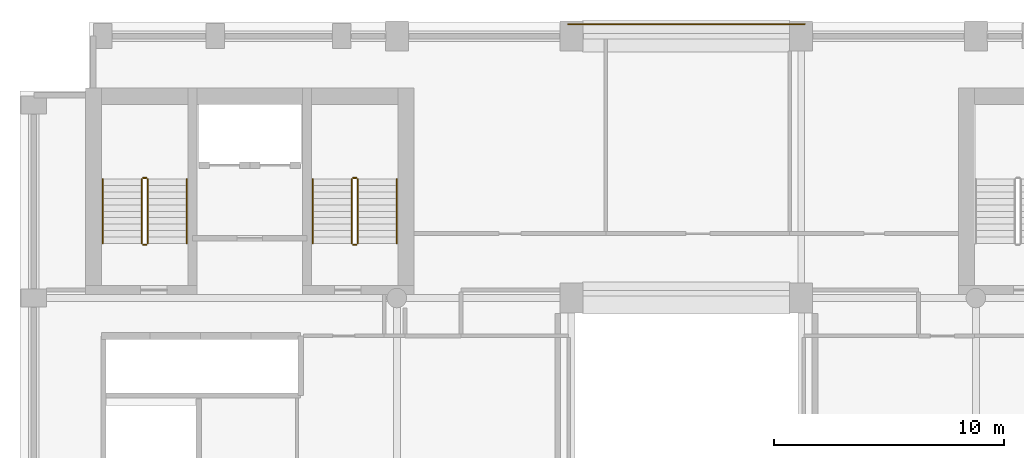
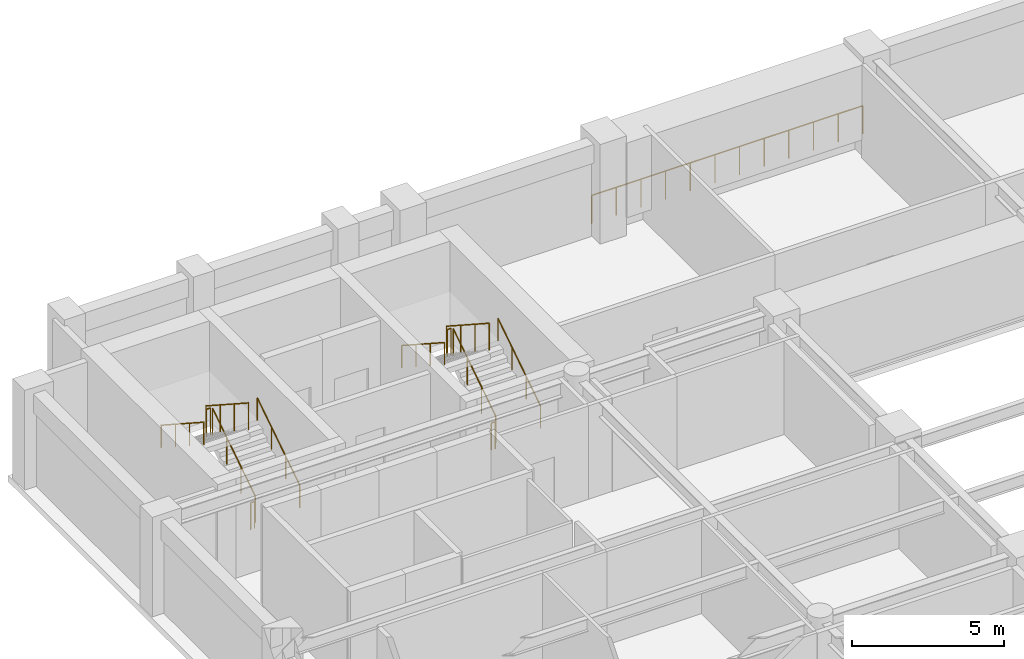
# One storey, part 6 of 7: 13 railings.
"""IFC4 building model written with IfcOpenShell, lengths in metres."""

from ifc_helpers import new_model, si_unit, direction, frame, origin, origin_2d, place, context, subcontext, project, spatial, circle, extrude, material, type_object, element, save


model = new_model("IFC4")

# Units and contexts
model_context = context("Model", 3, precision=1e-05, world=origin(), true_north=direction((0.0, 1.0)))
body_context = subcontext(model_context, "Body", "Model", "MODEL_VIEW")
ifc_project = project(units=[si_unit("LENGTHUNIT", "METRE"), si_unit("AREAUNIT", "SQUARE_METRE"), si_unit("VOLUMEUNIT", "CUBIC_METRE"), si_unit("PLANEANGLEUNIT", "RADIAN"), si_unit("MASSUNIT", "GRAM", prefix="KILO")], contexts=[model_context])

# Site, building, storey
site_placement = place(None, origin())
site = spatial("IfcSite", under=ifc_project, at=site_placement, CompositionType="ELEMENT")
building_placement = place(site_placement, origin())
building = spatial("IfcBuilding", under=site, at=building_placement, Name="Sulina Concourse Tower", CompositionType="ELEMENT")
storey_placement = place(building_placement, frame((0.0, 0.0, 198.60009765625)))
storey = spatial("IfcBuildingStorey", under=building, at=storey_placement, Name="L48", CompositionType="ELEMENT", Elevation=198.60009765625)

# Railings
ifc_material_1 = material(Name="Galvanised steel railing", Category="steel")
railing_type_1 = type_object("IfcRailingType", Name="Core Stair Steel Guardrail 1150mm", PredefinedType="GUARDRAIL", material=ifc_material_1)
railing_1_placement = place(storey_placement, frame((23.85009765625, 45.919921875, 0.0)))
element("IfcRailing", 1, at=railing_1_placement, inside=storey, type_object=railing_type_1, Name="L48 perimeter edge safety guardrail BRGN", PredefinedType="GUARDRAIL", context=body_context, shape_type="SweptSolid", body=[
    extrude(circle(Radius=0.02392578125, at=origin_2d()), frame((0.0, 0.0, 1.1259765625), z_axis=(1.0, 0.0, 0.0), x_axis=(0.0, 1.0, 0.0)), (0.0, 0.0, 1.0), 10.2998046875),
    extrude(circle(Radius=0.02099609375, at=origin_2d()), origin(), (0.0, 0.0, 1.0), 1.101806640625),
    extrude(circle(Radius=0.02099609375, at=origin_2d()), frame((0.936279296875, 0.0, 0.0)), (0.0, 0.0, 1.0), 1.101806640625),
    extrude(circle(Radius=0.02099609375, at=origin_2d()), frame((1.872802734375, 0.0, 0.0)), (0.0, 0.0, 1.0), 1.101806640625),
    extrude(circle(Radius=0.02099609375, at=origin_2d()), frame((2.80908203125, 0.0, 0.0)), (0.0, 0.0, 1.0), 1.101806640625),
    extrude(circle(Radius=0.02099609375, at=origin_2d()), frame((3.745361328125, 0.0, 0.0)), (0.0, 0.0, 1.0), 1.101806640625),
    extrude(circle(Radius=0.02099609375, at=origin_2d()), frame((4.681640625, 0.0, 0.0)), (0.0, 0.0, 1.0), 1.101806640625),
    extrude(circle(Radius=0.02099609375, at=origin_2d()), frame((5.6181640625, 0.0, 0.0)), (0.0, 0.0, 1.0), 1.101806640625),
    extrude(circle(Radius=0.02099609375, at=origin_2d()), frame((6.554443359375, 0.0, 0.0)), (0.0, 0.0, 1.0), 1.101806640625),
    extrude(circle(Radius=0.02099609375, at=origin_2d()), frame((7.49072265625, 0.0, 0.0)), (0.0, 0.0, 1.0), 1.101806640625),
    extrude(circle(Radius=0.02099609375, at=origin_2d()), frame((8.427001953125, 0.0, 0.0)), (0.0, 0.0, 1.0), 1.101806640625),
    extrude(circle(Radius=0.02099609375, at=origin_2d()), frame((9.363525390625, 0.0, 0.0)), (0.0, 0.0, 1.0), 1.101806640625),
    extrude(circle(Radius=0.02099609375, at=origin_2d()), frame((10.2998046875, 0.0, 0.0)), (0.0, 0.0, 1.0), 1.101806640625),
])
railing_2_placement = place(storey_placement, frame((5.554931640625, 36.375, 0.181640625)))
element("IfcRailing", 2, at=railing_2_placement, inside=storey, type_object=railing_type_1, Name="L48 ST-1 stair guard 1", PredefinedType="GUARDRAIL", context=body_context, shape_type="SweptSolid", body=[
    extrude(circle(Radius=0.02392578125, at=origin_2d()), frame((0.0, 0.0, 1.076171875), z_axis=(0.0, 0.838672427954, 0.544636170843), x_axis=(-1.0, 0.0, 0.0)), (0.0, 0.0, 1.0), 3.338623046875),
    extrude(circle(Radius=0.02099609375, at=origin_2d()), origin(), (0.0, 0.0, 1.0), 1.052001953125),
    extrude(circle(Radius=0.02099609375, at=origin_2d()), frame((0.0, 0.933349609375, 0.606201171875)), (0.0, 0.0, 1.0), 1.052001953125),
    extrude(circle(Radius=0.02099609375, at=origin_2d()), frame((0.0, 1.86669921875, 1.212158203125)), (0.0, 0.0, 1.0), 1.052001953125),
    extrude(circle(Radius=0.02099609375, at=origin_2d()), frame((0.0, 2.800048828125, 1.818359375)), (0.0, 0.0, 1.0), 1.052001953125),
])
railing_3_placement = place(storey_placement, frame((5.5048828125, 39.22509765625, 2.0)))
element("IfcRailing", 3, at=railing_3_placement, inside=storey, type_object=railing_type_1, Name="L48 ST-1 stair guard 2", PredefinedType="GUARDRAIL", context=body_context, shape_type="SweptSolid", body=[
    extrude(circle(Radius=0.02392578125, at=origin_2d()), frame((0.0, 0.0, 1.076171875), z_axis=(-1.0, 0.0, 0.0), x_axis=(0.0, -1.0, 0.0)), (0.0, 0.0, 1.0), 0.14990234375),
    extrude(circle(Radius=0.02099609375, at=origin_2d()), origin(), (0.0, 0.0, 1.0), 1.052001953125),
    extrude(circle(Radius=0.02099609375, at=origin_2d()), frame((-0.14990234375, 0.0, 0.0)), (0.0, 0.0, 1.0), 1.052001953125),
])
railing_4_placement = place(storey_placement, frame((5.304931640625, 39.175048828125, 2.181640625)))
element("IfcRailing", 4, at=railing_4_placement, inside=storey, type_object=railing_type_1, Name="L48 ST-1 stair guard 3", PredefinedType="GUARDRAIL", context=body_context, shape_type="SweptSolid", body=[
    extrude(circle(Radius=0.02392578125, at=origin_2d()), frame((0.0, 0.0, 1.076171875), z_axis=(0.0, -0.838672427954, 0.544636170843), x_axis=(1.0, 0.0, 0.0)), (0.0, 0.0, 1.0), 3.338623046875),
    extrude(circle(Radius=0.02099609375, at=origin_2d()), origin(), (0.0, 0.0, 1.0), 1.052001953125),
    extrude(circle(Radius=0.02099609375, at=origin_2d()), frame((0.0, -0.933349609375, 0.606201171875)), (0.0, 0.0, 1.0), 1.052001953125),
    extrude(circle(Radius=0.02099609375, at=origin_2d()), frame((0.0, -1.86669921875, 1.212158203125)), (0.0, 0.0, 1.0), 1.052001953125),
    extrude(circle(Radius=0.02099609375, at=origin_2d()), frame((0.0, -2.800048828125, 1.818359375)), (0.0, 0.0, 1.0), 1.052001953125),
])
railing_5_placement = place(storey_placement, frame((5.5048828125, 36.324951171875, 0.0)))
element("IfcRailing", 5, at=railing_5_placement, inside=storey, type_object=railing_type_1, Name="L48 ST-1 stair guard 4", PredefinedType="GUARDRAIL", context=body_context, shape_type="SweptSolid", body=[
    extrude(circle(Radius=0.02392578125, at=origin_2d()), frame((0.0, 0.0, 1.076171875), z_axis=(-1.0, 0.0, 0.0), x_axis=(0.0, -1.0, 0.0)), (0.0, 0.0, 1.0), 0.14990234375),
    extrude(circle(Radius=0.02099609375, at=origin_2d()), origin(), (0.0, 0.0, 1.0), 1.052001953125),
    extrude(circle(Radius=0.02099609375, at=origin_2d()), frame((-0.14990234375, 0.0, 0.0)), (0.0, 0.0, 1.0), 1.052001953125),
])
railing_6_placement = place(storey_placement, frame((14.695068359375, 36.375, 0.181640625)))
element("IfcRailing", 6, at=railing_6_placement, inside=storey, type_object=railing_type_1, Name="L48 ST-2 stair guard 1", PredefinedType="GUARDRAIL", context=body_context, shape_type="SweptSolid", body=[
    extrude(circle(Radius=0.02392578125, at=origin_2d()), frame((0.0, 0.0, 1.076171875), z_axis=(0.0, 0.838672427954, 0.544636170843), x_axis=(-1.0, 0.0, 0.0)), (0.0, 0.0, 1.0), 3.338623046875),
    extrude(circle(Radius=0.02099609375, at=origin_2d()), origin(), (0.0, 0.0, 1.0), 1.052001953125),
    extrude(circle(Radius=0.02099609375, at=origin_2d()), frame((0.0, 0.933349609375, 0.606201171875)), (0.0, 0.0, 1.0), 1.052001953125),
    extrude(circle(Radius=0.02099609375, at=origin_2d()), frame((0.0, 1.86669921875, 1.212158203125)), (0.0, 0.0, 1.0), 1.052001953125),
    extrude(circle(Radius=0.02099609375, at=origin_2d()), frame((0.0, 2.800048828125, 1.818359375)), (0.0, 0.0, 1.0), 1.052001953125),
])
railing_7_placement = place(storey_placement, frame((14.64501953125, 39.22509765625, 2.0)))
element("IfcRailing", 7, at=railing_7_placement, inside=storey, type_object=railing_type_1, Name="L48 ST-2 stair guard 2", PredefinedType="GUARDRAIL", context=body_context, shape_type="SweptSolid", body=[
    extrude(circle(Radius=0.02392578125, at=origin_2d()), frame((0.0, 0.0, 1.076171875), z_axis=(-1.0, 0.0, 0.0), x_axis=(0.0, -1.0, 0.0)), (0.0, 0.0, 1.0), 0.14990234375),
    extrude(circle(Radius=0.02099609375, at=origin_2d()), origin(), (0.0, 0.0, 1.0), 1.052001953125),
    extrude(circle(Radius=0.02099609375, at=origin_2d()), frame((-0.14990234375, 0.0, 0.0)), (0.0, 0.0, 1.0), 1.052001953125),
])
railing_8_placement = place(storey_placement, frame((14.445068359375, 39.175048828125, 2.181640625)))
element("IfcRailing", 8, at=railing_8_placement, inside=storey, type_object=railing_type_1, Name="L48 ST-2 stair guard 3", PredefinedType="GUARDRAIL", context=body_context, shape_type="SweptSolid", body=[
    extrude(circle(Radius=0.02392578125, at=origin_2d()), frame((0.0, 0.0, 1.076171875), z_axis=(0.0, -0.838672427954, 0.544636170843), x_axis=(1.0, 0.0, 0.0)), (0.0, 0.0, 1.0), 3.338623046875),
    extrude(circle(Radius=0.02099609375, at=origin_2d()), origin(), (0.0, 0.0, 1.0), 1.052001953125),
    extrude(circle(Radius=0.02099609375, at=origin_2d()), frame((0.0, -0.933349609375, 0.606201171875)), (0.0, 0.0, 1.0), 1.052001953125),
    extrude(circle(Radius=0.02099609375, at=origin_2d()), frame((0.0, -1.86669921875, 1.212158203125)), (0.0, 0.0, 1.0), 1.052001953125),
    extrude(circle(Radius=0.02099609375, at=origin_2d()), frame((0.0, -2.800048828125, 1.818359375)), (0.0, 0.0, 1.0), 1.052001953125),
])
railing_9_placement = place(storey_placement, frame((14.64501953125, 36.324951171875, 0.0)))
element("IfcRailing", 9, at=railing_9_placement, inside=storey, type_object=railing_type_1, Name="L48 ST-2 stair guard 4", PredefinedType="GUARDRAIL", context=body_context, shape_type="SweptSolid", body=[
    extrude(circle(Radius=0.02392578125, at=origin_2d()), frame((0.0, 0.0, 1.076171875), z_axis=(-1.0, 0.0, 0.0), x_axis=(0.0, -1.0, 0.0)), (0.0, 0.0, 1.0), 0.14990234375),
    extrude(circle(Radius=0.02099609375, at=origin_2d()), origin(), (0.0, 0.0, 1.0), 1.052001953125),
    extrude(circle(Radius=0.02099609375, at=origin_2d()), frame((-0.14990234375, 0.0, 0.0)), (0.0, 0.0, 1.0), 1.052001953125),
])
ifc_material_2 = material(Name="Galvanised steel railing", Category="steel")
railing_type_2 = type_object("IfcRailingType", Name="Stair Wall Steel Handrail 920mm", PredefinedType="HANDRAIL", material=ifc_material_2)
railing_10_placement = place(storey_placement, frame((7.2548828125, 36.375, 0.181640625)))
element("IfcRailing", 10, at=railing_10_placement, inside=storey, type_object=railing_type_2, Name="L48 ST-1 stair handrail 1", PredefinedType="HANDRAIL", context=body_context, shape_type="SweptSolid", body=[
    extrude(circle(Radius=0.02392578125, at=origin_2d()), frame((0.0, 0.0, 0.89599609375), z_axis=(0.0, 0.838672427954, 0.544636170843), x_axis=(-1.0, 0.0, 0.0)), (0.0, 0.0, 1.0), 3.338623046875),
    extrude(circle(Radius=0.02099609375, at=origin_2d()), origin(), (0.0, 0.0, 1.0), 0.871826171875),
    extrude(circle(Radius=0.02099609375, at=origin_2d()), frame((0.0, 0.933349609375, 0.606201171875)), (0.0, 0.0, 1.0), 0.871826171875),
    extrude(circle(Radius=0.02099609375, at=origin_2d()), frame((0.0, 1.86669921875, 1.212158203125)), (0.0, 0.0, 1.0), 0.871826171875),
    extrude(circle(Radius=0.02099609375, at=origin_2d()), frame((0.0, 2.800048828125, 1.818359375)), (0.0, 0.0, 1.0), 0.871826171875),
])
railing_11_placement = place(storey_placement, frame((3.60498046875, 39.175048828125, 2.181640625)))
element("IfcRailing", 11, at=railing_11_placement, inside=storey, type_object=railing_type_2, Name="L48 ST-1 stair handrail 2", PredefinedType="HANDRAIL", context=body_context, shape_type="SweptSolid", body=[
    extrude(circle(Radius=0.02392578125, at=origin_2d()), frame((0.0, 0.0, 0.89599609375), z_axis=(0.0, -0.838672427954, 0.544636170843), x_axis=(1.0, 0.0, 0.0)), (0.0, 0.0, 1.0), 3.338623046875),
    extrude(circle(Radius=0.02099609375, at=origin_2d()), origin(), (0.0, 0.0, 1.0), 0.871826171875),
    extrude(circle(Radius=0.02099609375, at=origin_2d()), frame((0.0, -0.933349609375, 0.606201171875)), (0.0, 0.0, 1.0), 0.871826171875),
    extrude(circle(Radius=0.02099609375, at=origin_2d()), frame((0.0, -1.86669921875, 1.212158203125)), (0.0, 0.0, 1.0), 0.871826171875),
    extrude(circle(Radius=0.02099609375, at=origin_2d()), frame((0.0, -2.800048828125, 1.818359375)), (0.0, 0.0, 1.0), 0.871826171875),
])
railing_12_placement = place(storey_placement, frame((16.39501953125, 36.375, 0.181640625)))
element("IfcRailing", 12, at=railing_12_placement, inside=storey, type_object=railing_type_2, Name="L48 ST-2 stair handrail 1", PredefinedType="HANDRAIL", context=body_context, shape_type="SweptSolid", body=[
    extrude(circle(Radius=0.02392578125, at=origin_2d()), frame((0.0, 0.0, 0.89599609375), z_axis=(0.0, 0.838672427954, 0.544636170843), x_axis=(-1.0, 0.0, 0.0)), (0.0, 0.0, 1.0), 3.338623046875),
    extrude(circle(Radius=0.02099609375, at=origin_2d()), origin(), (0.0, 0.0, 1.0), 0.871826171875),
    extrude(circle(Radius=0.02099609375, at=origin_2d()), frame((0.0, 0.933349609375, 0.606201171875)), (0.0, 0.0, 1.0), 0.871826171875),
    extrude(circle(Radius=0.02099609375, at=origin_2d()), frame((0.0, 1.86669921875, 1.212158203125)), (0.0, 0.0, 1.0), 0.871826171875),
    extrude(circle(Radius=0.02099609375, at=origin_2d()), frame((0.0, 2.800048828125, 1.818359375)), (0.0, 0.0, 1.0), 0.871826171875),
])
railing_13_placement = place(storey_placement, frame((12.7451171875, 39.175048828125, 2.181640625)))
element("IfcRailing", 13, at=railing_13_placement, inside=storey, type_object=railing_type_2, Name="L48 ST-2 stair handrail 2", PredefinedType="HANDRAIL", context=body_context, shape_type="SweptSolid", body=[
    extrude(circle(Radius=0.02392578125, at=origin_2d()), frame((0.0, 0.0, 0.89599609375), z_axis=(0.0, -0.838672427954, 0.544636170843), x_axis=(1.0, 0.0, 0.0)), (0.0, 0.0, 1.0), 3.338623046875),
    extrude(circle(Radius=0.02099609375, at=origin_2d()), origin(), (0.0, 0.0, 1.0), 0.871826171875),
    extrude(circle(Radius=0.02099609375, at=origin_2d()), frame((0.0, -0.933349609375, 0.606201171875)), (0.0, 0.0, 1.0), 0.871826171875),
    extrude(circle(Radius=0.02099609375, at=origin_2d()), frame((0.0, -1.86669921875, 1.212158203125)), (0.0, 0.0, 1.0), 0.871826171875),
    extrude(circle(Radius=0.02099609375, at=origin_2d()), frame((0.0, -2.800048828125, 1.818359375)), (0.0, 0.0, 1.0), 0.871826171875),
])

save(model, "model.ifc")
